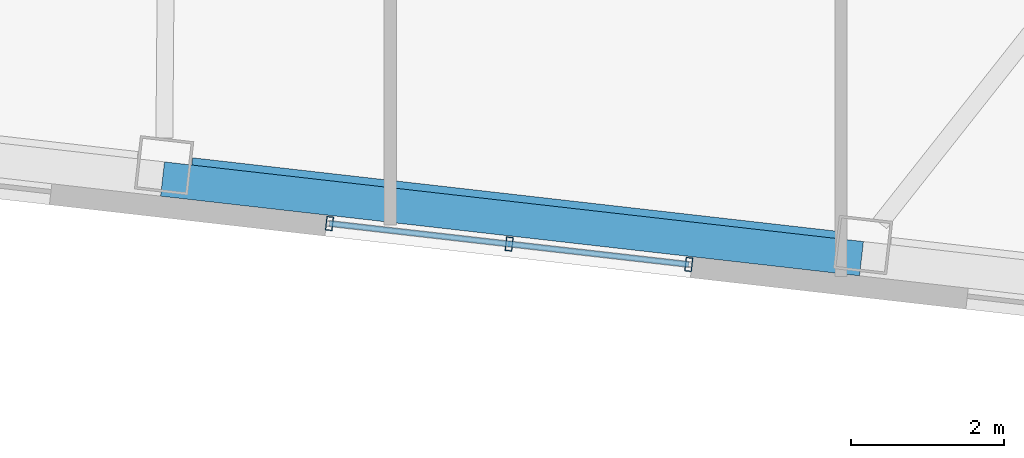
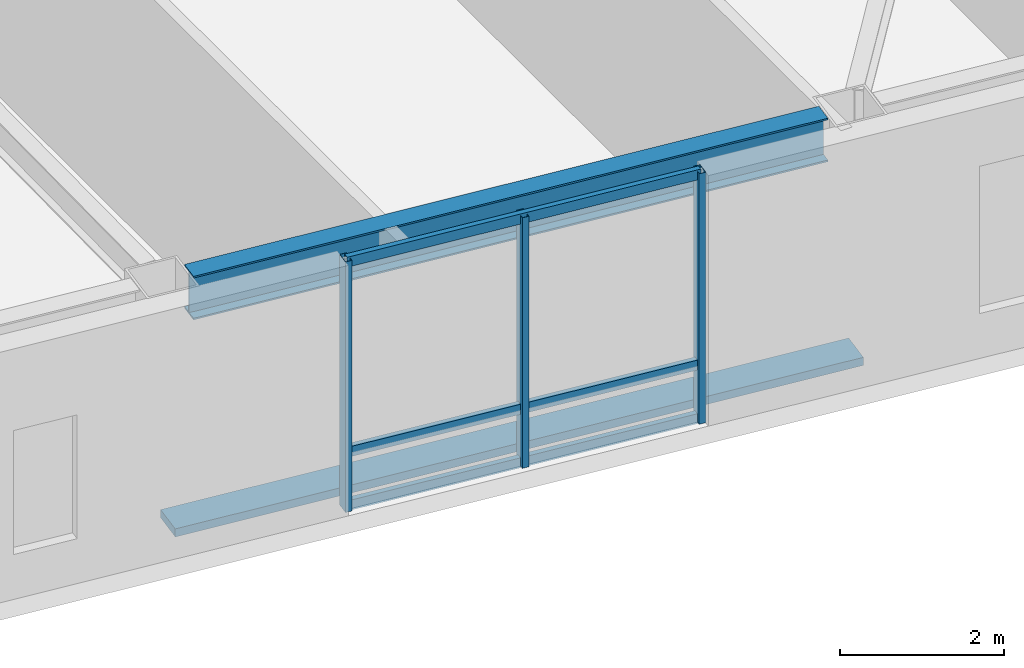
# One storey, part 4 of 21: 7 members, 1 beam, 1 element without a shape of its own.
"""IFC4 building model written with IfcOpenShell, lengths in metres."""

from ifc_helpers import new_model, si_unit, direction, frame, origin, origin_2d, place, context, subcontext, project, spatial, rectangle, hollow_rectangle, i_section, extrude, material, layer, layer_set, material_profile, profile_set, type_object, element, aggregate, save


model = new_model("IFC4")

# Units and contexts
model_context = context("Model", 3, precision=1e-05, world=origin(), true_north=direction((0.0, 1.0)))
body_context = subcontext(model_context, "Body", "Model", "MODEL_VIEW")
ifc_project = project(units=[si_unit("LENGTHUNIT", "METRE"), si_unit("AREAUNIT", "SQUARE_METRE"), si_unit("VOLUMEUNIT", "CUBIC_METRE"), si_unit("PLANEANGLEUNIT", "RADIAN"), si_unit("MASSUNIT", "GRAM", prefix="KILO")], contexts=[model_context])

# Site, building, storey
site_placement = place(None, origin())
site = spatial("IfcSite", under=ifc_project, at=site_placement, CompositionType="ELEMENT")
building_placement = place(site_placement, origin())
building = spatial("IfcBuilding", under=site, at=building_placement, Name="Tavrogorsk Clinical Tower", CompositionType="ELEMENT")
storey_placement = place(building_placement, frame((0.0, 0.0, 137.39990234375)))
storey = spatial("IfcBuildingStorey", under=building, at=storey_placement, Name="L31", CompositionType="ELEMENT", Elevation=137.39990234375)

# Member
ifc_material_1 = material(Name="Anodised aluminium alloy AW-6063", Category="aluminium")
ifc_material_profile_1 = material_profile(ifc_material_1, rectangle(XDim=0.449951171875, YDim=0.1201171875, at=origin_2d()), Name="ALU-SUNSHADE-450x120")
ifc_profile_set_1 = profile_set([ifc_material_profile_1], Name="Anodised aluminium alloy AW-6063")
member_type_1 = type_object("IfcMemberType", Name="ChicagoSunshade_450x120", PredefinedType="USERDEFINED", material=ifc_profile_set_1)
member_1_placement = place(storey_placement, frame((4.208251953125, -26.463134765625, 0.18017578125), z_axis=(0.993569662511, -0.113222461274, 0.0), x_axis=(0.113222461274, 0.993569662511, 0.0)))
element("IfcMember", 1, at=member_1_placement, inside=storey, type_object=member_type_1, Name="L31 South Aluminium Sunshade S5", ObjectType="SUNSHADE", PredefinedType="USERDEFINED", context=body_context, shape_type="SweptSolid", body=[
    extrude(rectangle(XDim=0.449951171875, YDim=0.1201171875, at=origin_2d()), origin(), (0.0, 0.0, 1.0), 9.17724609375),
])

# Curtain wall, members
ifc_material_2 = material(Name="Anodised aluminium and triple IGU glazing", Category="aluminium")
ifc_layer = layer(ifc_material_2, 0.179931640625)
ifc_layer_set = layer_set([ifc_layer], Name="Anodised aluminium and triple IGU glazing")
curtain_wall_type = type_object("IfcCurtainWallType", Name="CW3_SouthSlot", PredefinedType="NOTDEFINED", material=ifc_layer_set)
curtain_wall_placement = place(storey_placement, origin())
curtain_wall = element("IfcCurtainWall", 2, at=curtain_wall_placement, inside=storey, type_object=curtain_wall_type, Name="L31 Curtain Wall CW-L31-S-SLOT-2", PredefinedType="NOTDEFINED")
ifc_material_3 = material(Name="Anodised aluminium alloy AW-6060", Category="aluminium")
ifc_material_profile_2 = material_profile(ifc_material_3, hollow_rectangle(XDim=0.090087890625, YDim=0.179931640625, WallThickness=0.00634765625, at=origin_2d()), Name="RHS-180x90x6.3")
ifc_profile_set_2 = profile_set([ifc_material_profile_2], Name="Anodised aluminium alloy AW-6060")
member_type_2 = type_object("IfcMemberType", Name="CwMullion_180x90", PredefinedType="MULLION", material=ifc_profile_set_2)
member_2_placement = place(storey_placement, frame((6.38623046875, -27.04345703125, 0.0), z_axis=(0.0, 0.0, 1.0), x_axis=(0.993571858269, -0.113203191016, 0.0)))
member_2 = element("IfcMember", 3, at=member_2_placement, type_object=member_type_2, Name="CW-L31-S-SLOT-2 Mullion 1", PredefinedType="MULLION", context=body_context, shape_type="SweptSolid", body=[
    extrude(hollow_rectangle(XDim=0.090087890625, YDim=0.179931640625, WallThickness=0.00634765625, at=origin_2d()), origin(), (0.0, 0.0, 1.0), 3.739990234375),
])
member_3_placement = place(storey_placement, frame((8.72998046875, -27.310546875, 0.0), z_axis=(0.0, 0.0, 1.0), x_axis=(0.993571858269, -0.113203191016, 0.0)))
member_3 = element("IfcMember", 4, at=member_3_placement, type_object=member_type_2, Name="CW-L31-S-SLOT-2 Mullion 2", PredefinedType="MULLION", context=body_context, shape_type="SweptSolid", body=[
    extrude(hollow_rectangle(XDim=0.090087890625, YDim=0.179931640625, WallThickness=0.00634765625, at=origin_2d()), origin(), (0.0, 0.0, 1.0), 3.739990234375),
])
member_4_placement = place(storey_placement, frame((11.07373046875, -27.57763671875, 0.0), z_axis=(0.0, 0.0, 1.0), x_axis=(0.993571858269, -0.113203191016, 0.0)))
member_4 = element("IfcMember", 5, at=member_4_placement, type_object=member_type_2, Name="CW-L31-S-SLOT-2 Mullion 3", PredefinedType="MULLION", context=body_context, shape_type="SweptSolid", body=[
    extrude(hollow_rectangle(XDim=0.090087890625, YDim=0.179931640625, WallThickness=0.00634765625, at=origin_2d()), origin(), (0.0, 0.0, 1.0), 3.739990234375),
])
ifc_material_4 = material(Name="Anodised aluminium alloy AW-6060", Category="aluminium")
ifc_material_profile_3 = material_profile(ifc_material_4, hollow_rectangle(XDim=0.074951171875, YDim=0.14990234375, WallThickness=0.0048828125, at=origin_2d()), Name="RHS-150x75x5")
ifc_profile_set_3 = profile_set([ifc_material_profile_3], Name="Anodised aluminium alloy AW-6060")
member_type_3 = type_object("IfcMemberType", Name="CwTransom_150x75", PredefinedType="USERDEFINED", material=ifc_profile_set_3)
member_5_placement = place(storey_placement, frame((6.38623046875, -27.04345703125, 0.050048828125), z_axis=(0.993569315854, -0.113225503286, 0.0), x_axis=(0.113225503286, 0.993569315854, 0.0)))
member_5 = element("IfcMember", 6, at=member_5_placement, type_object=member_type_3, Name="CW-L31-S-SLOT-2 Transom 1", ObjectType="TRANSOM", PredefinedType="USERDEFINED", context=body_context, shape_type="SweptSolid", body=[
    extrude(hollow_rectangle(XDim=0.074951171875, YDim=0.14990234375, WallThickness=0.0048828125, at=origin_2d()), origin(), (0.0, 0.0, 1.0), 4.7177734375),
])
member_6_placement = place(storey_placement, frame((6.38623046875, -27.04345703125, 0.85009765625), z_axis=(0.993569315854, -0.113225503286, 0.0), x_axis=(0.113225503286, 0.993569315854, 0.0)))
member_6 = element("IfcMember", 7, at=member_6_placement, type_object=member_type_3, Name="CW-L31-S-SLOT-2 Transom 2", ObjectType="TRANSOM", PredefinedType="USERDEFINED", context=body_context, shape_type="SweptSolid", body=[
    extrude(hollow_rectangle(XDim=0.074951171875, YDim=0.14990234375, WallThickness=0.0048828125, at=origin_2d()), origin(), (0.0, 0.0, 1.0), 4.7177734375),
])
member_7_placement = place(storey_placement, frame((6.38623046875, -27.04345703125, 3.690185546875), z_axis=(0.993569315854, -0.113225503286, 0.0), x_axis=(0.113225503286, 0.993569315854, 0.0)))
member_7 = element("IfcMember", 8, at=member_7_placement, type_object=member_type_3, Name="CW-L31-S-SLOT-2 Transom 3", ObjectType="TRANSOM", PredefinedType="USERDEFINED", context=body_context, shape_type="SweptSolid", body=[
    extrude(hollow_rectangle(XDim=0.074951171875, YDim=0.14990234375, WallThickness=0.0048828125, at=origin_2d()), origin(), (0.0, 0.0, 1.0), 4.7177734375),
])
aggregate(curtain_wall, [member_2, member_3, member_4, member_5, member_6, member_7])

# Beam
ifc_material_5 = material(Name="Structural steel S390", Category="steel")
ifc_material_profile_4 = material_profile(ifc_material_5, i_section(OverallWidth=0.280029296875, OverallDepth=0.64990234375, WebThickness=0.01611328125, FlangeThickness=0.02490234375, at=origin_2d()), Name="B-650x280x16x25")
ifc_profile_set_4 = profile_set([ifc_material_profile_4], Name="Structural steel S390")
beam_type = type_object("IfcBeamType", Name="SpandrelBeam_B650", PredefinedType="SPANDREL", material=ifc_profile_set_4)
beam_placement = place(storey_placement, frame((4.584228515625, -26.324951171875, 3.4150390625), z_axis=(0.99357306506, -0.113192598642, 0.0), x_axis=(0.113192598642, 0.99357306506, 0.0)))
element("IfcBeam", 9, at=beam_placement, inside=storey, type_object=beam_type, Name="L31 Perimeter Spandrel S5-S6", PredefinedType="SPANDREL", context=body_context, shape_type="SweptSolid", body=[
    extrude(i_section(OverallWidth=0.280029296875, OverallDepth=0.64990234375, WebThickness=0.01611328125, FlangeThickness=0.02490234375, at=origin_2d()), origin(), (0.0, 0.0, 1.0), 8.46142578125),
])

save(model, "model.ifc")
